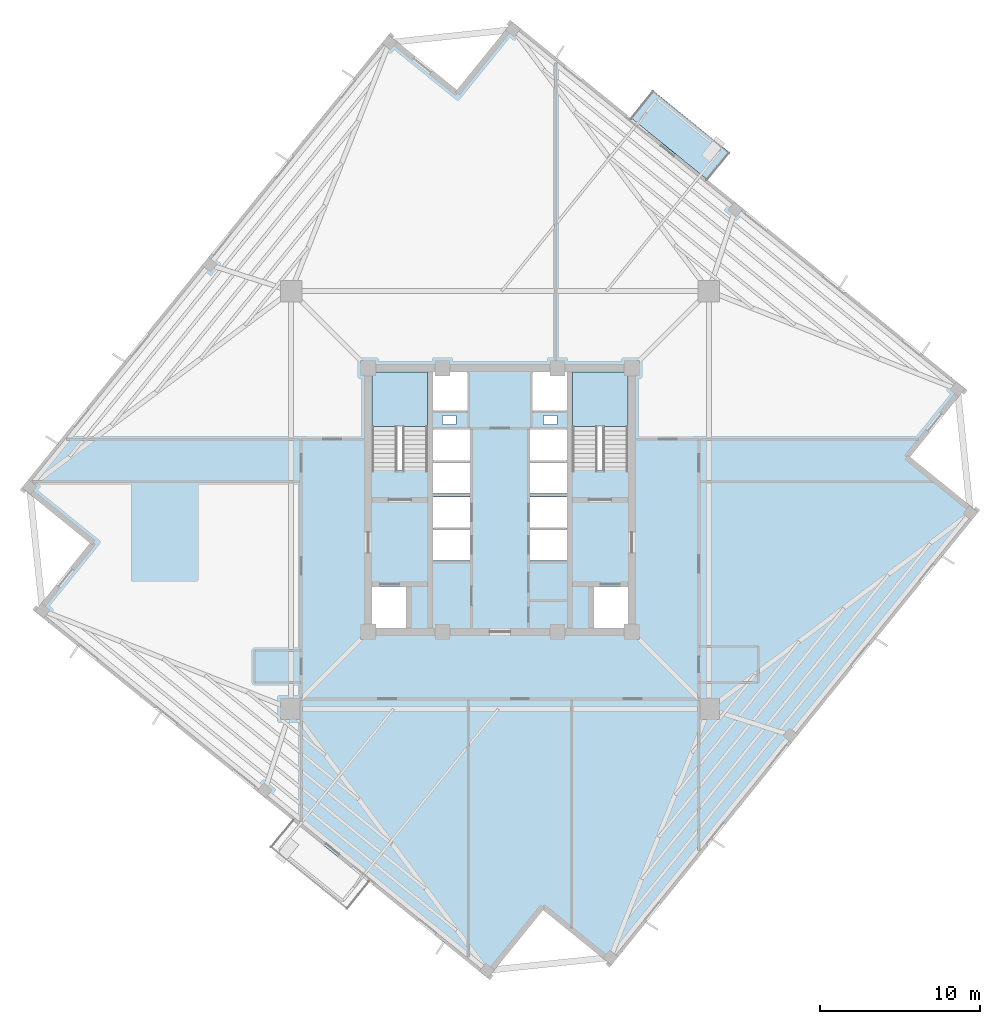
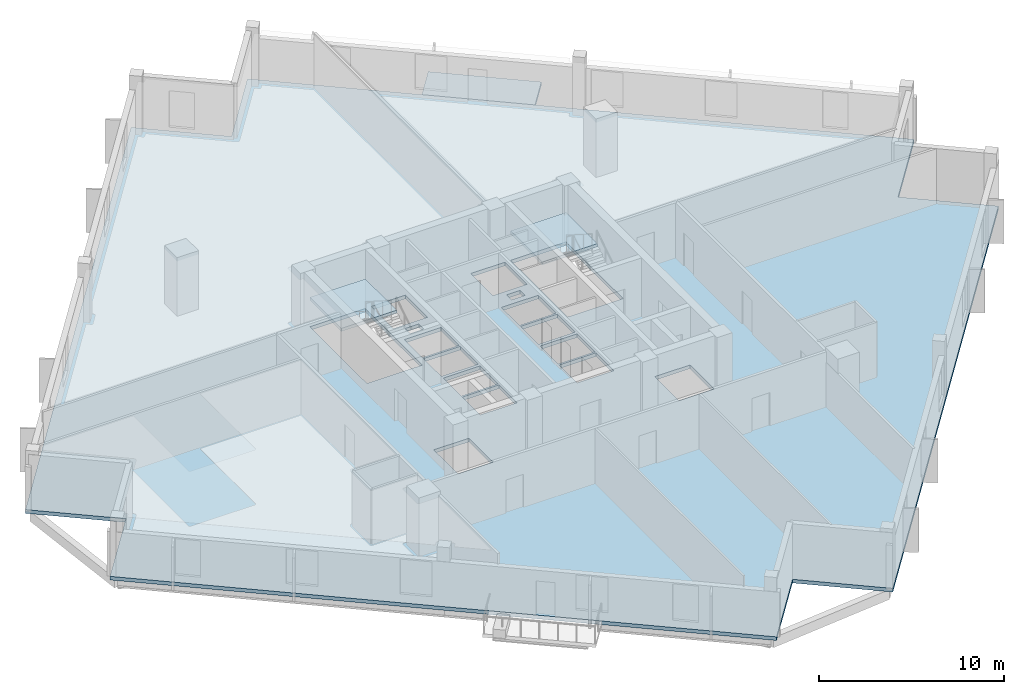
# One storey, part 2 of 10: 4 slabs, 2 elements without a shape of their own.
"""IFC4 building model written with IfcOpenShell, lengths in metres."""

import ifcopenshell
import ifcopenshell.guid

model = None  # the IFC model being written
_history = None  # IfcOwnerHistory: only IFC2X3 demands one
_inside = {}  # id of a spatial element -> (the spatial element, [elements in it])
_under = {}  # id of a project, library or spatial element -> (it, [spatial elements below it])
_declared = {}  # id of a project -> (the project, [libraries it declares])
_typed = {}  # id of a type object -> (the type object, [elements of that type])
_made_of = {}  # id of a material, layer set ... -> (it, [elements and type objects made of it])


def new_model(schema):
    """Start an empty IFC model of exactly this schema.

    Asked for "IFC4X3", IfcOpenShell would pick the latest addendum, in which some entities
    have other attributes; the version numbers below select the first issue.
    IFC2X3 requires an IfcOwnerHistory on every rooted entity: one is made here for all.
    """
    global model, _history
    if schema == "IFC4X3":
        model = ifcopenshell.file(schema_version=(4, 3, 0, 0))
    else:
        model = ifcopenshell.file(schema=schema)
    _inside.clear()
    _under.clear()
    _declared.clear()
    _typed.clear()
    _made_of.clear()
    _history = None
    if model.schema == "IFC2X3":
        org = make("IfcOrganization", Name="unknown")
        user = make(
            "IfcPersonAndOrganization",
            ThePerson=make("IfcPerson", FamilyName="unknown"),
            TheOrganization=org,
        )
        app = make(
            "IfcApplication",
            ApplicationDeveloper=org,
            Version="unknown",
            ApplicationFullName="unknown",
            ApplicationIdentifier="unknown",
        )
        _history = make(
            "IfcOwnerHistory",
            OwningUser=user,
            OwningApplication=app,
            ChangeAction="ADDED",
            CreationDate=0,
        )
    return model


def make(cls, **values):
    """One entity of the class cls with the attributes given. An attribute that is None is left unset."""
    return model.create_entity(
        cls, **{name: value for name, value in values.items() if value is not None}
    )


def rooted(cls, **values):
    """An entity with a GlobalId (a new one), such as an element, a storey or a relation."""
    return make(cls, GlobalId=ifcopenshell.guid.new(), OwnerHistory=_history, **values)


def si_unit(unit_type, name, prefix=None):
    """IfcSIUnit, for example si_unit("LENGTHUNIT", "METRE", prefix="MILLI")."""
    return make("IfcSIUnit", UnitType=unit_type, Prefix=prefix, Name=name)


def assignment(units):
    """IfcUnitAssignment: the units of a project."""
    return None if units is None else make("IfcUnitAssignment", Units=units)


def point(xyz):
    """IfcCartesianPoint."""
    return None if xyz is None else make("IfcCartesianPoint", Coordinates=xyz)


def direction(xyz):
    """IfcDirection."""
    return None if xyz is None else make("IfcDirection", DirectionRatios=xyz)


def frame(location, z_axis=None, x_axis=None):
    """IfcAxis2Placement3D, a coordinate frame: its origin and axes. An axis left out is left unset."""
    return make(
        "IfcAxis2Placement3D",
        Location=point(location),
        Axis=direction(z_axis),
        RefDirection=direction(x_axis),
    )


def origin():
    """The frame at (0, 0, 0) with its axes left unset."""
    return frame((0.0, 0.0, 0.0))


def place(relative_to, where):
    """IfcLocalPlacement: puts the frame where relative to a parent placement (None: the world)."""
    return make(
        "IfcLocalPlacement", PlacementRelTo=relative_to, RelativePlacement=where
    )


def context(
    kind, dimensions, precision=None, world=None, true_north=None, identifier=None
):
    """IfcGeometricRepresentationContext, for example the 3D "Model" context."""
    return make(
        "IfcGeometricRepresentationContext",
        ContextIdentifier=identifier,
        ContextType=kind,
        CoordinateSpaceDimension=dimensions,
        Precision=precision,
        WorldCoordinateSystem=world,
        TrueNorth=true_north,
    )


def subcontext(parent, identifier, kind, view, scale=None):
    """IfcGeometricRepresentationSubContext, for example "Body" below "Model"."""
    return make(
        "IfcGeometricRepresentationSubContext",
        ContextIdentifier=identifier,
        ContextType=kind,
        ParentContext=parent,
        TargetScale=scale,
        TargetView=view,
    )


def project(units=None, contexts=None):
    """IfcProject with its units and contexts."""
    return rooted(
        "IfcProject",
        Name="project",
        RepresentationContexts=contexts,
        UnitsInContext=assignment(units),
    )


def spatial(cls, under=None, at=None, **own):
    """A site, building, storey or space (cls), placed at a placement, below another one or the project."""
    s = rooted(cls, ObjectPlacement=at, **own)
    if under is not None:
        _under.setdefault(under.id(), (under, []))[1].append(s)
    return s


def polyline(points):
    """IfcPolyline through the points."""
    return make("IfcPolyline", Points=[point(p) for p in points])


def outline(outer, holes=None, kind="AREA"):
    """IfcArbitraryClosedProfileDef: a profile drawn as a closed curve; with holes, ...WithVoids."""
    if holes is None:
        return make("IfcArbitraryClosedProfileDef", ProfileType=kind, OuterCurve=outer)
    return make(
        "IfcArbitraryProfileDefWithVoids",
        ProfileType=kind,
        OuterCurve=outer,
        InnerCurves=holes,
    )


def extrude(swept, where, along, depth):
    """IfcExtrudedAreaSolid: the profile swept, set in the frame where, extruded along a direction by depth."""
    return make(
        "IfcExtrudedAreaSolid",
        SweptArea=swept,
        Position=where,
        ExtrudedDirection=direction(along),
        Depth=depth,
    )


def shape(context_of_items, identifier, shape_type, items):
    """IfcShapeRepresentation: the items that make up one representation, for example the "Body"."""
    return make(
        "IfcShapeRepresentation",
        ContextOfItems=context_of_items,
        RepresentationIdentifier=identifier,
        RepresentationType=shape_type,
        Items=items,
    )


def material(Name=None, Category=None):
    """IfcMaterial."""
    return make("IfcMaterial", Name=Name, Category=Category)


def layer(
    of_material, thickness, ventilated=None, Name=None, Category=None, Priority=None
):
    """IfcMaterialLayer: one layer of a wall or slab, of a material (None: an air gap)."""
    return make(
        "IfcMaterialLayer",
        Material=of_material,
        LayerThickness=thickness,
        IsVentilated=ventilated,
        Name=Name,
        Category=Category,
        Priority=Priority,
    )


def layer_set(layers, Name=None):
    """IfcMaterialLayerSet."""
    return make("IfcMaterialLayerSet", MaterialLayers=layers, LayerSetName=Name)


def made_of(thing, what):
    """Note that an element or type object is made of a material, layer set ...; save() writes the relation."""
    if what is not None:
        _made_of.setdefault(what.id(), (what, []))[1].append(thing)
    return thing


def type_object(cls, material=None, **own):
    """A type object (cls), such as IfcWallType, which elements share."""
    return made_of(rooted(cls, **own), material)


def element(
    cls,
    number,
    at=None,
    inside=None,
    cuts=None,
    type_object=None,
    material=None,
    context=None,
    identifier="Body",
    shape_type=None,
    held_by="IfcProductDefinitionShape",
    body=None,
    shapes=None,
    **own,
):
    """One element of the class cls, such as IfcWall. Its Tag is "e" and its number.

    at: its placement. inside: the storey or other place that contains it. cuts: it is an
    opening in that element (IfcRelVoidsElement). A single representation is given by context,
    identifier, shape_type and body (its items); several are given by shapes. held_by: the class
    of the entity that holds the representations. save() writes the other relations.
    """
    e = rooted(cls, Tag="e%d" % number, ObjectPlacement=at, **own)
    if body is not None:
        shapes = [shape(context, identifier, shape_type, body)]
    if shapes is not None:
        e.Representation = make(held_by, Representations=shapes)
    if inside is not None:
        _inside.setdefault(inside.id(), (inside, []))[1].append(e)
    if cuts is not None:
        rooted(
            "IfcRelVoidsElement", RelatingBuildingElement=cuts, RelatedOpeningElement=e
        )
    if type_object is not None:
        _typed.setdefault(type_object.id(), (type_object, []))[1].append(e)
    return made_of(e, material)


def aggregate(whole, parts):
    """IfcRelAggregates: a whole, such as a stair, and the parts it consists of."""
    return rooted("IfcRelAggregates", RelatingObject=whole, RelatedObjects=parts)


def save(model, path):
    """Write the relations noted so far, then the file.

    IfcRelAggregates (storeys below a building ...), IfcRelContainedInSpatialStructure (elements
    in a storey), IfcRelDefinesByType, IfcRelAssociatesMaterial and IfcRelDeclares: one each for
    every whole, place, type object, material and project.
    """
    for whole, parts in _under.values():
        aggregate(whole, parts)
    for where, things in _inside.values():
        rooted(
            "IfcRelContainedInSpatialStructure",
            RelatedElements=things,
            RelatingStructure=where,
        )
    for kind, things in _typed.values():
        rooted("IfcRelDefinesByType", RelatedObjects=things, RelatingType=kind)
    for what, things in _made_of.values():
        rooted("IfcRelAssociatesMaterial", RelatedObjects=things, RelatingMaterial=what)
    for by, libraries in _declared.values():
        rooted("IfcRelDeclares", RelatingContext=by, RelatedDefinitions=libraries)
    model.write(path)


model = new_model("IFC4")

# Units and contexts
model_context = context("Model", 3, precision=1e-05, world=origin(), true_north=direction((0.0, 1.0)))
body_context = subcontext(model_context, "Body", "Model", "MODEL_VIEW")
ifc_project = project(units=[si_unit("LENGTHUNIT", "METRE"), si_unit("AREAUNIT", "SQUARE_METRE"), si_unit("VOLUMEUNIT", "CUBIC_METRE"), si_unit("PLANEANGLEUNIT", "RADIAN"), si_unit("MASSUNIT", "GRAM", prefix="KILO"), si_unit("THERMODYNAMICTEMPERATUREUNIT", "KELVIN")], contexts=[model_context])

# Site, building, storey
site_placement = place(None, origin())
site = spatial("IfcSite", under=ifc_project, at=site_placement, CompositionType="ELEMENT")
building_placement = place(site_placement, origin())
building = spatial("IfcBuilding", under=site, at=building_placement, Name="Kosmvard Interchange Tower", CompositionType="ELEMENT")
storey_placement = place(building_placement, frame((0.0, 0.0, 229.0)))
storey = spatial("IfcBuildingStorey", under=building, at=storey_placement, Name="L55", CompositionType="ELEMENT", Elevation=229.0)

# Slab
ifc_material = material(Name="Concrete C50/60", Category="concrete")
ifc_layer_1 = layer(ifc_material, 0.239990234375, Name="Concrete C50/60")
ifc_layer_set_1 = layer_set([ifc_layer_1], Name="Concrete C50/60")
slab_type_1 = type_object("IfcSlabType", Name="High-Rise Suite Composite Slab 240 C50/60", PredefinedType="FLOOR", material=ifc_layer_set_1)
slab_1_placement = place(storey_placement, frame((0.0, 0.0, -0.239990234375)))
element("IfcSlab", 1, at=slab_1_placement, inside=storey, type_object=slab_type_1, Name="L55 Structural Floor Slab", PredefinedType="FLOOR", context=body_context, shape_type="SweptSolid", body=[
    extrude(outline(polyline([(6.97216796875, -29.12939453125), (29.9423828125, -0.763427734375), (25.66796875, 2.69775390625), (29.12939453125, 6.97216796875), (0.763427734375, 29.9423828125), (-2.69775390625, 25.66796875), (-6.97216796875, 29.12939453125), (-29.9423828125, 0.763427734375), (-25.66796875, -2.69775390625), (-29.12939453125, -6.97216796875), (-0.763427734375, -29.9423828125), (2.69775390625, -25.66796875), (6.97216796875, -29.12939453125)]), holes=[polyline([(-8.0, 1.8349609375), (-4.5400390625, 1.8349609375), (-4.5400390625, 8.0), (-8.0, 8.0), (-8.0, 1.8349609375)]), polyline([(4.5400390625, 1.8349609375), (8.0, 1.8349609375), (8.0, 8.0), (4.5400390625, 8.0), (4.5400390625, 1.8349609375)]), polyline([(-8.0, -8.0), (-5.800048828125, -8.0), (-5.800048828125, -5.39990234375), (-8.0, -5.39990234375), (-8.0, -8.0)]), polyline([(5.800048828125, -8.0), (8.0, -8.0), (8.0, -5.39990234375), (5.800048828125, -5.39990234375), (5.800048828125, -8.0)]), polyline([(-4.179931640625, -3.800048828125), (-1.8798828125, -3.800048828125), (-1.8798828125, -1.860107421875), (-4.179931640625, -1.860107421875), (-4.179931640625, -3.800048828125)]), polyline([(-4.179931640625, -1.739990234375), (-1.8798828125, -1.739990234375), (-1.8798828125, 0.199951171875), (-4.179931640625, 0.199951171875), (-4.179931640625, -1.739990234375)]), polyline([(1.8798828125, -3.800048828125), (4.179931640625, -3.800048828125), (4.179931640625, -1.860107421875), (1.8798828125, -1.860107421875), (1.8798828125, -3.800048828125)]), polyline([(1.8798828125, -1.739990234375), (4.179931640625, -1.739990234375), (4.179931640625, 0.199951171875), (1.8798828125, 0.199951171875), (1.8798828125, -1.739990234375)]), polyline([(-4.179931640625, 0.39990234375), (-1.8798828125, 0.39990234375), (-1.8798828125, 2.340087890625), (-4.179931640625, 2.340087890625), (-4.179931640625, 0.39990234375)]), polyline([(-4.179931640625, 2.4599609375), (-1.8798828125, 2.4599609375), (-1.8798828125, 4.39990234375), (-4.179931640625, 4.39990234375), (-4.179931640625, 2.4599609375)]), polyline([(1.8798828125, 0.39990234375), (4.179931640625, 0.39990234375), (4.179931640625, 2.340087890625), (1.8798828125, 2.340087890625), (1.8798828125, 0.39990234375)]), polyline([(1.8798828125, 2.4599609375), (4.179931640625, 2.4599609375), (4.179931640625, 4.39990234375), (1.8798828125, 4.39990234375), (1.8798828125, 2.4599609375)]), polyline([(-4.179931640625, 5.60009765625), (-2.0400390625, 5.60009765625), (-2.0400390625, 8.0), (-4.179931640625, 8.0), (-4.179931640625, 5.60009765625)]), polyline([(2.0400390625, 5.60009765625), (4.179931640625, 5.60009765625), (4.179931640625, 8.0), (2.0400390625, 8.0), (2.0400390625, 5.60009765625)]), polyline([(-3.614990234375, 4.739990234375), (-2.764892578125, 4.739990234375), (-2.764892578125, 5.2900390625), (-3.614990234375, 5.2900390625), (-3.614990234375, 4.739990234375)]), polyline([(2.715087890625, 4.739990234375), (3.56494140625, 4.739990234375), (3.56494140625, 5.2900390625), (2.715087890625, 5.2900390625), (2.715087890625, 4.739990234375)])]), origin(), (0.0, 0.0, 1.0), 0.239990234375),
])

# Stair, slab
stair_type = type_object("IfcStairType", Name="Dog-Leg Core Exit Stair H3900 C50/60", PredefinedType="HALF_TURN_STAIR", material=ifc_material)
stair_1_placement = place(storey_placement, origin())
stair_1 = element("IfcStair", 2, at=stair_1_placement, inside=storey, type_object=stair_type, Name="L55 Protected Exit Stair ST-1", PredefinedType="HALF_TURN_STAIR")
ifc_layer_2 = layer(ifc_material, 0.199951171875, Name="Concrete C50/60")
ifc_layer_set_2 = layer_set([ifc_layer_2], Name="Concrete C50/60")
slab_type_2 = type_object("IfcSlabType", Name="Stair Half-Landing Slab 200 C50/60", PredefinedType="LANDING", material=ifc_layer_set_2)
slab_2_placement = place(storey_placement, frame((0.0, 0.0, 1.75)))
slab_2 = element("IfcSlab", 3, at=slab_2_placement, type_object=slab_type_2, Name="ST-1 landing 1", PredefinedType="LANDING", context=body_context, shape_type="SweptSolid", body=[
    extrude(outline(polyline([(-4.5400390625, 4.60009765625), (-4.5400390625, 8.0), (-8.0, 8.0), (-8.0, 4.60009765625), (-4.5400390625, 4.60009765625)])), origin(), (0.0, 0.0, 1.0), 0.199951171875),
])
aggregate(stair_1, [slab_2])

stair_2_placement = place(storey_placement, origin())
stair_2 = element("IfcStair", 4, at=stair_2_placement, inside=storey, type_object=stair_type, Name="L55 Protected Exit Stair ST-2", PredefinedType="HALF_TURN_STAIR")
slab_3_placement = place(storey_placement, frame((0.0, 0.0, 1.75)))
slab_3 = element("IfcSlab", 5, at=slab_3_placement, type_object=slab_type_2, Name="ST-2 landing 1", PredefinedType="LANDING", context=body_context, shape_type="SweptSolid", body=[
    extrude(outline(polyline([(8.0, 4.60009765625), (8.0, 8.0), (4.5400390625, 8.0), (4.5400390625, 4.60009765625), (8.0, 4.60009765625)])), origin(), (0.0, 0.0, 1.0), 0.199951171875),
])
aggregate(stair_2, [slab_3])

# Slab
ifc_layer_3 = layer(ifc_material, 0.22998046875, Name="Concrete C50/60")
ifc_layer_set_3 = layer_set([ifc_layer_3], Name="Concrete C50/60")
slab_type_3 = type_object("IfcSlabType", Name="Tree-Planter Cantilever Balcony Slab 230 C50/60", PredefinedType="FLOOR", material=ifc_layer_set_3)
slab_4_placement = place(storey_placement, frame((0.0, 0.0, -0.22998046875)))
element("IfcSlab", 6, at=slab_4_placement, inside=storey, type_object=slab_type_3, Name="L55 Outdoor Terrace Balcony Slab BAL-L55-E", PredefinedType="FLOOR", context=body_context, shape_type="SweptSolid", body=[
    extrude(outline(polyline([(13.00341796875, 20.030517578125), (14.387939453125, 21.740234375), (9.569580078125, 25.64208984375), (8.185302734375, 23.932373046875), (13.00341796875, 20.030517578125)])), origin(), (0.0, 0.0, 1.0), 0.22998046875),
])

save(model, "model.ifc")
